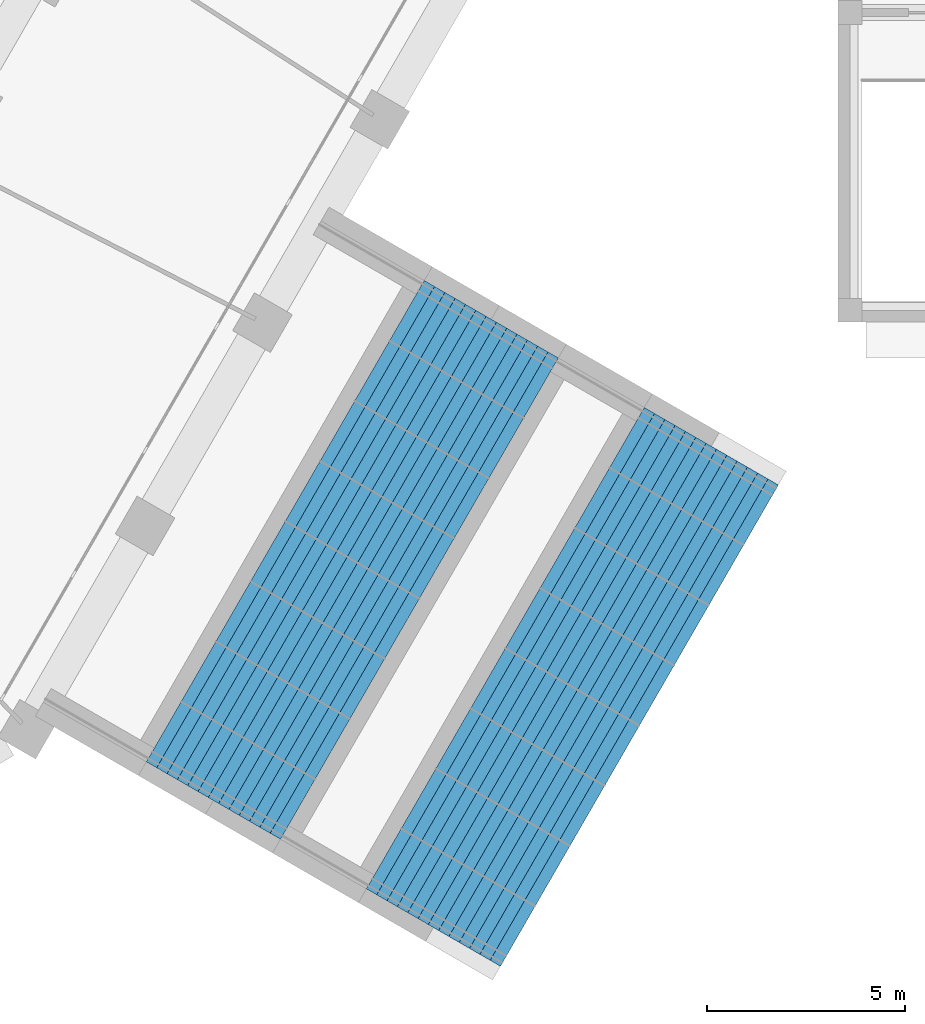
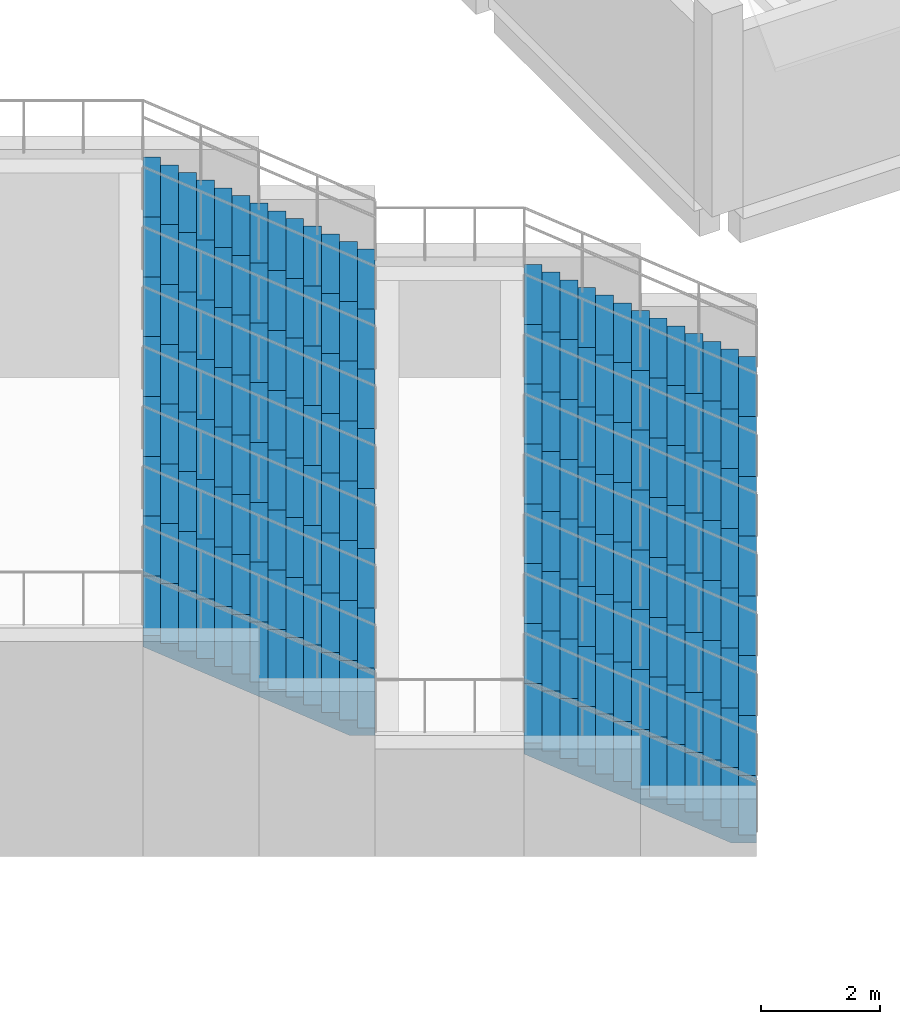
# One storey, part 31 of 38: 16 stair flights, 1 element without a shape of its own.
"""IFC4 building model written with IfcOpenShell, lengths in metres."""

from ifc_helpers import new_model, si_unit, direction, frame, origin, place, context, subcontext, project, spatial, polyline, outline, extrude, material, type_object, element, aggregate, save


model = new_model("IFC4")

# Units and contexts
model_context = context("Model", 3, precision=1e-05, world=origin(), true_north=direction((0.0, 1.0)))
body_context = subcontext(model_context, "Body", "Model", "MODEL_VIEW")
ifc_project = project(units=[si_unit("LENGTHUNIT", "METRE"), si_unit("AREAUNIT", "SQUARE_METRE"), si_unit("VOLUMEUNIT", "CUBIC_METRE"), si_unit("PLANEANGLEUNIT", "RADIAN"), si_unit("MASSUNIT", "GRAM", prefix="KILO")], contexts=[model_context])

# Site, building, storey
site_placement = place(None, origin())
site = spatial("IfcSite", under=ifc_project, at=site_placement, CompositionType="ELEMENT")
building_placement = place(site_placement, origin())
building = spatial("IfcBuilding", under=site, at=building_placement, Name="Frailejon Research Tower", CompositionType="ELEMENT")
storey_placement = place(building_placement, frame((0.0, 0.0, 10.199951171875)))
storey = spatial("IfcBuildingStorey", under=building, at=storey_placement, Name="L02", CompositionType="ELEMENT", Elevation=10.199951171875)

# Stair, stair flights
ifc_material_1 = material(Name="Concrete C35/45", Category="concrete")
stair_type = type_object("IfcStairType", Name="Broad stair", PredefinedType="STRAIGHT_RUN_STAIR", material=ifc_material_1)
stair_placement = place(storey_placement, origin())
stair = element("IfcStair", 1, at=stair_placement, inside=storey, type_object=stair_type, Name="Broad stair E3", PredefinedType="STRAIGHT_RUN_STAIR")
ifc_material_2 = material(Name="Concrete C35/45", Category="concrete")
stair_flight_type = type_object("IfcStairFlightType", Name="Broad stair flight", PredefinedType="STRAIGHT", material=ifc_material_2)
stair_flight_1_placement = place(storey_placement, frame((30.590087890625, -32.816650390625, 2.199951171875), z_axis=(0.0, 0.0, 1.0), x_axis=(-0.866025403784, 0.5, 0.0)))
stair_flight_1 = element("IfcStairFlight", 2, at=stair_flight_1_placement, type_object=stair_flight_type, Name="SS-E3 flight 1", NumberOfRisers=14, NumberOfTreads=13, PredefinedType="STRAIGHT", RiserHeight=0.157142857, TreadLength=0.3, context=body_context, shape_type="SweptSolid", body=[
    extrude(outline(polyline([(0.0, 0.0), (0.0, 0.1572265625), (0.300048828125, 0.1572265625), (0.300048828125, 0.314208984375), (0.60009765625, 0.314208984375), (0.60009765625, 0.471435546875), (0.89990234375, 0.471435546875), (0.89990234375, 0.628662109375), (1.199951171875, 0.628662109375), (1.199951171875, 0.78564453125), (1.5, 0.78564453125), (1.5, 0.94287109375), (1.800048828125, 0.94287109375), (1.800048828125, 1.10009765625), (2.10009765625, 1.10009765625), (2.10009765625, 1.257080078125), (2.39990234375, 1.257080078125), (2.39990234375, 1.414306640625), (2.699951171875, 1.414306640625), (2.699951171875, 1.571533203125), (3.0, 1.571533203125), (3.0, 1.728515625), (3.300048828125, 1.728515625), (3.300048828125, 1.8857421875), (3.60009765625, 1.8857421875), (3.60009765625, 2.04296875), (3.89990234375, 2.04296875), (3.89990234375, 2.199951171875), (3.89990234375, 1.817138671875), (0.430908203125, 0.0), (0.0, 0.0)])), frame((0.0, 0.875, 0.0), z_axis=(0.0, -1.0, 0.0), x_axis=(1.0, 0.0, 0.0)), (0.0, 0.0, 1.0), 1.75),
])
stair_flight_2_placement = place(storey_placement, frame((31.465087890625, -31.301025390625, 2.199951171875), z_axis=(0.0, 0.0, 1.0), x_axis=(-0.866025403784, 0.5, 0.0)))
stair_flight_2 = element("IfcStairFlight", 3, at=stair_flight_2_placement, type_object=stair_flight_type, Name="SS-E3 flight 2", NumberOfRisers=14, NumberOfTreads=13, PredefinedType="STRAIGHT", RiserHeight=0.157142857, TreadLength=0.3, context=body_context, shape_type="SweptSolid", body=[
    extrude(outline(polyline([(0.0, 0.0), (0.0, 0.1572265625), (0.300048828125, 0.1572265625), (0.300048828125, 0.314208984375), (0.60009765625, 0.314208984375), (0.60009765625, 0.471435546875), (0.89990234375, 0.471435546875), (0.89990234375, 0.628662109375), (1.199951171875, 0.628662109375), (1.199951171875, 0.78564453125), (1.5, 0.78564453125), (1.5, 0.94287109375), (1.800048828125, 0.94287109375), (1.800048828125, 1.10009765625), (2.10009765625, 1.10009765625), (2.10009765625, 1.257080078125), (2.39990234375, 1.257080078125), (2.39990234375, 1.414306640625), (2.699951171875, 1.414306640625), (2.699951171875, 1.571533203125), (3.0, 1.571533203125), (3.0, 1.728515625), (3.300048828125, 1.728515625), (3.300048828125, 1.8857421875), (3.60009765625, 1.8857421875), (3.60009765625, 2.04296875), (3.89990234375, 2.04296875), (3.89990234375, 2.199951171875), (3.89990234375, 1.817138671875), (0.430908203125, 0.0), (0.0, 0.0)])), frame((0.0, 0.875, 0.0), z_axis=(0.0, -1.0, 0.0), x_axis=(1.0, 0.0, 0.0)), (0.0, 0.0, 1.0), 1.75),
])
stair_flight_3_placement = place(storey_placement, frame((32.340087890625, -29.785400390625, 2.199951171875), z_axis=(0.0, 0.0, 1.0), x_axis=(-0.866025403784, 0.5, 0.0)))
stair_flight_3 = element("IfcStairFlight", 4, at=stair_flight_3_placement, type_object=stair_flight_type, Name="SS-E3 flight 3", NumberOfRisers=14, NumberOfTreads=13, PredefinedType="STRAIGHT", RiserHeight=0.157142857, TreadLength=0.3, context=body_context, shape_type="SweptSolid", body=[
    extrude(outline(polyline([(0.0, 0.0), (0.0, 0.1572265625), (0.300048828125, 0.1572265625), (0.300048828125, 0.314208984375), (0.60009765625, 0.314208984375), (0.60009765625, 0.471435546875), (0.89990234375, 0.471435546875), (0.89990234375, 0.628662109375), (1.199951171875, 0.628662109375), (1.199951171875, 0.78564453125), (1.5, 0.78564453125), (1.5, 0.94287109375), (1.800048828125, 0.94287109375), (1.800048828125, 1.10009765625), (2.10009765625, 1.10009765625), (2.10009765625, 1.257080078125), (2.39990234375, 1.257080078125), (2.39990234375, 1.414306640625), (2.699951171875, 1.414306640625), (2.699951171875, 1.571533203125), (3.0, 1.571533203125), (3.0, 1.728515625), (3.300048828125, 1.728515625), (3.300048828125, 1.8857421875), (3.60009765625, 1.8857421875), (3.60009765625, 2.04296875), (3.89990234375, 2.04296875), (3.89990234375, 2.199951171875), (3.89990234375, 1.817138671875), (0.430908203125, 0.0), (0.0, 0.0)])), frame((0.0, 0.875, 0.0), z_axis=(0.0, -1.0, 0.0), x_axis=(1.0, 0.0, 0.0)), (0.0, 0.0, 1.0), 1.75),
])
stair_flight_4_placement = place(storey_placement, frame((33.215087890625, -28.27001953125, 2.199951171875), z_axis=(0.0, 0.0, 1.0), x_axis=(-0.866025403784, 0.5, 0.0)))
stair_flight_4 = element("IfcStairFlight", 5, at=stair_flight_4_placement, type_object=stair_flight_type, Name="SS-E3 flight 4", NumberOfRisers=14, NumberOfTreads=13, PredefinedType="STRAIGHT", RiserHeight=0.157142857, TreadLength=0.3, context=body_context, shape_type="SweptSolid", body=[
    extrude(outline(polyline([(0.0, 0.0), (0.0, 0.1572265625), (0.300048828125, 0.1572265625), (0.300048828125, 0.314208984375), (0.60009765625, 0.314208984375), (0.60009765625, 0.471435546875), (0.89990234375, 0.471435546875), (0.89990234375, 0.628662109375), (1.199951171875, 0.628662109375), (1.199951171875, 0.78564453125), (1.5, 0.78564453125), (1.5, 0.94287109375), (1.800048828125, 0.94287109375), (1.800048828125, 1.10009765625), (2.10009765625, 1.10009765625), (2.10009765625, 1.257080078125), (2.39990234375, 1.257080078125), (2.39990234375, 1.414306640625), (2.699951171875, 1.414306640625), (2.699951171875, 1.571533203125), (3.0, 1.571533203125), (3.0, 1.728515625), (3.300048828125, 1.728515625), (3.300048828125, 1.8857421875), (3.60009765625, 1.8857421875), (3.60009765625, 2.04296875), (3.89990234375, 2.04296875), (3.89990234375, 2.199951171875), (3.89990234375, 1.817138671875), (0.430908203125, 0.0), (0.0, 0.0)])), frame((0.0, 0.875, 0.0), z_axis=(0.0, -1.0, 0.0), x_axis=(1.0, 0.0, 0.0)), (0.0, 0.0, 1.0), 1.75),
])
stair_flight_5_placement = place(storey_placement, frame((34.090087890625, -26.75439453125, 2.199951171875), z_axis=(0.0, 0.0, 1.0), x_axis=(-0.866025403784, 0.5, 0.0)))
stair_flight_5 = element("IfcStairFlight", 6, at=stair_flight_5_placement, type_object=stair_flight_type, Name="SS-E3 flight 5", NumberOfRisers=14, NumberOfTreads=13, PredefinedType="STRAIGHT", RiserHeight=0.157142857, TreadLength=0.3, context=body_context, shape_type="SweptSolid", body=[
    extrude(outline(polyline([(0.0, 0.0), (0.0, 0.1572265625), (0.300048828125, 0.1572265625), (0.300048828125, 0.314208984375), (0.60009765625, 0.314208984375), (0.60009765625, 0.471435546875), (0.89990234375, 0.471435546875), (0.89990234375, 0.628662109375), (1.199951171875, 0.628662109375), (1.199951171875, 0.78564453125), (1.5, 0.78564453125), (1.5, 0.94287109375), (1.800048828125, 0.94287109375), (1.800048828125, 1.10009765625), (2.10009765625, 1.10009765625), (2.10009765625, 1.257080078125), (2.39990234375, 1.257080078125), (2.39990234375, 1.414306640625), (2.699951171875, 1.414306640625), (2.699951171875, 1.571533203125), (3.0, 1.571533203125), (3.0, 1.728515625), (3.300048828125, 1.728515625), (3.300048828125, 1.8857421875), (3.60009765625, 1.8857421875), (3.60009765625, 2.04296875), (3.89990234375, 2.04296875), (3.89990234375, 2.199951171875), (3.89990234375, 1.817138671875), (0.430908203125, 0.0), (0.0, 0.0)])), frame((0.0, 0.875, 0.0), z_axis=(0.0, -1.0, 0.0), x_axis=(1.0, 0.0, 0.0)), (0.0, 0.0, 1.0), 1.75),
])
stair_flight_6_placement = place(storey_placement, frame((34.965087890625, -25.239013671875, 2.199951171875), z_axis=(0.0, 0.0, 1.0), x_axis=(-0.866025403784, 0.5, 0.0)))
stair_flight_6 = element("IfcStairFlight", 7, at=stair_flight_6_placement, type_object=stair_flight_type, Name="SS-E3 flight 6", NumberOfRisers=14, NumberOfTreads=13, PredefinedType="STRAIGHT", RiserHeight=0.157142857, TreadLength=0.3, context=body_context, shape_type="SweptSolid", body=[
    extrude(outline(polyline([(0.0, 0.0), (0.0, 0.1572265625), (0.300048828125, 0.1572265625), (0.300048828125, 0.314208984375), (0.60009765625, 0.314208984375), (0.60009765625, 0.471435546875), (0.89990234375, 0.471435546875), (0.89990234375, 0.628662109375), (1.199951171875, 0.628662109375), (1.199951171875, 0.78564453125), (1.5, 0.78564453125), (1.5, 0.94287109375), (1.800048828125, 0.94287109375), (1.800048828125, 1.10009765625), (2.10009765625, 1.10009765625), (2.10009765625, 1.257080078125), (2.39990234375, 1.257080078125), (2.39990234375, 1.414306640625), (2.699951171875, 1.414306640625), (2.699951171875, 1.571533203125), (3.0, 1.571533203125), (3.0, 1.728515625), (3.300048828125, 1.728515625), (3.300048828125, 1.8857421875), (3.60009765625, 1.8857421875), (3.60009765625, 2.04296875), (3.89990234375, 2.04296875), (3.89990234375, 2.199951171875), (3.89990234375, 1.817138671875), (0.430908203125, 0.0), (0.0, 0.0)])), frame((0.0, 0.875, 0.0), z_axis=(0.0, -1.0, 0.0), x_axis=(1.0, 0.0, 0.0)), (0.0, 0.0, 1.0), 1.75),
])
stair_flight_7_placement = place(storey_placement, frame((35.840087890625, -23.723388671875, 2.199951171875), z_axis=(0.0, 0.0, 1.0), x_axis=(-0.866025403784, 0.5, 0.0)))
stair_flight_7 = element("IfcStairFlight", 8, at=stair_flight_7_placement, type_object=stair_flight_type, Name="SS-E3 flight 7", NumberOfRisers=14, NumberOfTreads=13, PredefinedType="STRAIGHT", RiserHeight=0.157142857, TreadLength=0.3, context=body_context, shape_type="SweptSolid", body=[
    extrude(outline(polyline([(0.0, 0.0), (0.0, 0.1572265625), (0.300048828125, 0.1572265625), (0.300048828125, 0.314208984375), (0.60009765625, 0.314208984375), (0.60009765625, 0.471435546875), (0.89990234375, 0.471435546875), (0.89990234375, 0.628662109375), (1.199951171875, 0.628662109375), (1.199951171875, 0.78564453125), (1.5, 0.78564453125), (1.5, 0.94287109375), (1.800048828125, 0.94287109375), (1.800048828125, 1.10009765625), (2.10009765625, 1.10009765625), (2.10009765625, 1.257080078125), (2.39990234375, 1.257080078125), (2.39990234375, 1.414306640625), (2.699951171875, 1.414306640625), (2.699951171875, 1.571533203125), (3.0, 1.571533203125), (3.0, 1.728515625), (3.300048828125, 1.728515625), (3.300048828125, 1.8857421875), (3.60009765625, 1.8857421875), (3.60009765625, 2.04296875), (3.89990234375, 2.04296875), (3.89990234375, 2.199951171875), (3.89990234375, 1.817138671875), (0.430908203125, 0.0), (0.0, 0.0)])), frame((0.0, 0.875, 0.0), z_axis=(0.0, -1.0, 0.0), x_axis=(1.0, 0.0, 0.0)), (0.0, 0.0, 1.0), 1.75),
])
stair_flight_8_placement = place(storey_placement, frame((36.715087890625, -22.207763671875, 2.199951171875), z_axis=(0.0, 0.0, 1.0), x_axis=(-0.866025403784, 0.5, 0.0)))
stair_flight_8 = element("IfcStairFlight", 9, at=stair_flight_8_placement, type_object=stair_flight_type, Name="SS-E3 flight 8", NumberOfRisers=14, NumberOfTreads=13, PredefinedType="STRAIGHT", RiserHeight=0.157142857, TreadLength=0.3, context=body_context, shape_type="SweptSolid", body=[
    extrude(outline(polyline([(0.0, 0.0), (0.0, 0.1572265625), (0.300048828125, 0.1572265625), (0.300048828125, 0.314208984375), (0.60009765625, 0.314208984375), (0.60009765625, 0.471435546875), (0.89990234375, 0.471435546875), (0.89990234375, 0.628662109375), (1.199951171875, 0.628662109375), (1.199951171875, 0.78564453125), (1.5, 0.78564453125), (1.5, 0.94287109375), (1.800048828125, 0.94287109375), (1.800048828125, 1.10009765625), (2.10009765625, 1.10009765625), (2.10009765625, 1.257080078125), (2.39990234375, 1.257080078125), (2.39990234375, 1.414306640625), (2.699951171875, 1.414306640625), (2.699951171875, 1.571533203125), (3.0, 1.571533203125), (3.0, 1.728515625), (3.300048828125, 1.728515625), (3.300048828125, 1.8857421875), (3.60009765625, 1.8857421875), (3.60009765625, 2.04296875), (3.89990234375, 2.04296875), (3.89990234375, 2.199951171875), (3.89990234375, 1.817138671875), (0.430908203125, 0.0), (0.0, 0.0)])), frame((0.0, 0.875, 0.0), z_axis=(0.0, -1.0, 0.0), x_axis=(1.0, 0.0, 0.0)), (0.0, 0.0, 1.0), 1.75),
])
stair_flight_9_placement = place(storey_placement, frame((36.132568359375, -36.0166015625, 0.0), z_axis=(0.0, 0.0, 1.0), x_axis=(-0.866025403784, 0.5, 0.0)))
stair_flight_9 = element("IfcStairFlight", 10, at=stair_flight_9_placement, type_object=stair_flight_type, Name="SS-E3 flight 9", NumberOfRisers=14, NumberOfTreads=13, PredefinedType="STRAIGHT", RiserHeight=0.157142857, TreadLength=0.3, context=body_context, shape_type="SweptSolid", body=[
    extrude(outline(polyline([(0.0, 0.0), (0.0, 0.1572265625), (0.300048828125, 0.1572265625), (0.300048828125, 0.314208984375), (0.60009765625, 0.314208984375), (0.60009765625, 0.471435546875), (0.89990234375, 0.471435546875), (0.89990234375, 0.628662109375), (1.199951171875, 0.628662109375), (1.199951171875, 0.78564453125), (1.5, 0.78564453125), (1.5, 0.94287109375), (1.800048828125, 0.94287109375), (1.800048828125, 1.10009765625), (2.10009765625, 1.10009765625), (2.10009765625, 1.257080078125), (2.39990234375, 1.257080078125), (2.39990234375, 1.414306640625), (2.699951171875, 1.414306640625), (2.699951171875, 1.571533203125), (3.0, 1.571533203125), (3.0, 1.728515625), (3.300048828125, 1.728515625), (3.300048828125, 1.8857421875), (3.60009765625, 1.8857421875), (3.60009765625, 2.04296875), (3.89990234375, 2.04296875), (3.89990234375, 2.199951171875), (3.89990234375, 1.817138671875), (0.430908203125, 0.0), (0.0, 0.0)])), frame((0.0, 0.875, 0.0), z_axis=(0.0, -1.0, 0.0), x_axis=(1.0, 0.0, 0.0)), (0.0, 0.0, 1.0), 1.75),
])
stair_flight_10_placement = place(storey_placement, frame((37.007568359375, -34.5009765625, 0.0), z_axis=(0.0, 0.0, 1.0), x_axis=(-0.866025403784, 0.5, 0.0)))
stair_flight_10 = element("IfcStairFlight", 11, at=stair_flight_10_placement, type_object=stair_flight_type, Name="SS-E3 flight 10", NumberOfRisers=14, NumberOfTreads=13, PredefinedType="STRAIGHT", RiserHeight=0.157142857, TreadLength=0.3, context=body_context, shape_type="SweptSolid", body=[
    extrude(outline(polyline([(0.0, 0.0), (0.0, 0.1572265625), (0.300048828125, 0.1572265625), (0.300048828125, 0.314208984375), (0.60009765625, 0.314208984375), (0.60009765625, 0.471435546875), (0.89990234375, 0.471435546875), (0.89990234375, 0.628662109375), (1.199951171875, 0.628662109375), (1.199951171875, 0.78564453125), (1.5, 0.78564453125), (1.5, 0.94287109375), (1.800048828125, 0.94287109375), (1.800048828125, 1.10009765625), (2.10009765625, 1.10009765625), (2.10009765625, 1.257080078125), (2.39990234375, 1.257080078125), (2.39990234375, 1.414306640625), (2.699951171875, 1.414306640625), (2.699951171875, 1.571533203125), (3.0, 1.571533203125), (3.0, 1.728515625), (3.300048828125, 1.728515625), (3.300048828125, 1.8857421875), (3.60009765625, 1.8857421875), (3.60009765625, 2.04296875), (3.89990234375, 2.04296875), (3.89990234375, 2.199951171875), (3.89990234375, 1.817138671875), (0.430908203125, 0.0), (0.0, 0.0)])), frame((0.0, 0.875, 0.0), z_axis=(0.0, -1.0, 0.0), x_axis=(1.0, 0.0, 0.0)), (0.0, 0.0, 1.0), 1.75),
])
stair_flight_11_placement = place(storey_placement, frame((37.882568359375, -32.985595703125, 0.0), z_axis=(0.0, 0.0, 1.0), x_axis=(-0.866025403784, 0.5, 0.0)))
stair_flight_11 = element("IfcStairFlight", 12, at=stair_flight_11_placement, type_object=stair_flight_type, Name="SS-E3 flight 11", NumberOfRisers=14, NumberOfTreads=13, PredefinedType="STRAIGHT", RiserHeight=0.157142857, TreadLength=0.3, context=body_context, shape_type="SweptSolid", body=[
    extrude(outline(polyline([(0.0, 0.0), (0.0, 0.1572265625), (0.300048828125, 0.1572265625), (0.300048828125, 0.314208984375), (0.60009765625, 0.314208984375), (0.60009765625, 0.471435546875), (0.89990234375, 0.471435546875), (0.89990234375, 0.628662109375), (1.199951171875, 0.628662109375), (1.199951171875, 0.78564453125), (1.5, 0.78564453125), (1.5, 0.94287109375), (1.800048828125, 0.94287109375), (1.800048828125, 1.10009765625), (2.10009765625, 1.10009765625), (2.10009765625, 1.257080078125), (2.39990234375, 1.257080078125), (2.39990234375, 1.414306640625), (2.699951171875, 1.414306640625), (2.699951171875, 1.571533203125), (3.0, 1.571533203125), (3.0, 1.728515625), (3.300048828125, 1.728515625), (3.300048828125, 1.8857421875), (3.60009765625, 1.8857421875), (3.60009765625, 2.04296875), (3.89990234375, 2.04296875), (3.89990234375, 2.199951171875), (3.89990234375, 1.817138671875), (0.430908203125, 0.0), (0.0, 0.0)])), frame((0.0, 0.875, 0.0), z_axis=(0.0, -1.0, 0.0), x_axis=(1.0, 0.0, 0.0)), (0.0, 0.0, 1.0), 1.75),
])
stair_flight_12_placement = place(storey_placement, frame((38.757568359375, -31.469970703125, 0.0), z_axis=(0.0, 0.0, 1.0), x_axis=(-0.866025403784, 0.5, 0.0)))
stair_flight_12 = element("IfcStairFlight", 13, at=stair_flight_12_placement, type_object=stair_flight_type, Name="SS-E3 flight 12", NumberOfRisers=14, NumberOfTreads=13, PredefinedType="STRAIGHT", RiserHeight=0.157142857, TreadLength=0.3, context=body_context, shape_type="SweptSolid", body=[
    extrude(outline(polyline([(0.0, 0.0), (0.0, 0.1572265625), (0.300048828125, 0.1572265625), (0.300048828125, 0.314208984375), (0.60009765625, 0.314208984375), (0.60009765625, 0.471435546875), (0.89990234375, 0.471435546875), (0.89990234375, 0.628662109375), (1.199951171875, 0.628662109375), (1.199951171875, 0.78564453125), (1.5, 0.78564453125), (1.5, 0.94287109375), (1.800048828125, 0.94287109375), (1.800048828125, 1.10009765625), (2.10009765625, 1.10009765625), (2.10009765625, 1.257080078125), (2.39990234375, 1.257080078125), (2.39990234375, 1.414306640625), (2.699951171875, 1.414306640625), (2.699951171875, 1.571533203125), (3.0, 1.571533203125), (3.0, 1.728515625), (3.300048828125, 1.728515625), (3.300048828125, 1.8857421875), (3.60009765625, 1.8857421875), (3.60009765625, 2.04296875), (3.89990234375, 2.04296875), (3.89990234375, 2.199951171875), (3.89990234375, 1.817138671875), (0.430908203125, 0.0), (0.0, 0.0)])), frame((0.0, 0.875, 0.0), z_axis=(0.0, -1.0, 0.0), x_axis=(1.0, 0.0, 0.0)), (0.0, 0.0, 1.0), 1.75),
])
stair_flight_13_placement = place(storey_placement, frame((39.632568359375, -29.954345703125, 0.0), z_axis=(0.0, 0.0, 1.0), x_axis=(-0.866025403784, 0.5, 0.0)))
stair_flight_13 = element("IfcStairFlight", 14, at=stair_flight_13_placement, type_object=stair_flight_type, Name="SS-E3 flight 13", NumberOfRisers=14, NumberOfTreads=13, PredefinedType="STRAIGHT", RiserHeight=0.157142857, TreadLength=0.3, context=body_context, shape_type="SweptSolid", body=[
    extrude(outline(polyline([(0.0, 0.0), (0.0, 0.1572265625), (0.300048828125, 0.1572265625), (0.300048828125, 0.314208984375), (0.60009765625, 0.314208984375), (0.60009765625, 0.471435546875), (0.89990234375, 0.471435546875), (0.89990234375, 0.628662109375), (1.199951171875, 0.628662109375), (1.199951171875, 0.78564453125), (1.5, 0.78564453125), (1.5, 0.94287109375), (1.800048828125, 0.94287109375), (1.800048828125, 1.10009765625), (2.10009765625, 1.10009765625), (2.10009765625, 1.257080078125), (2.39990234375, 1.257080078125), (2.39990234375, 1.414306640625), (2.699951171875, 1.414306640625), (2.699951171875, 1.571533203125), (3.0, 1.571533203125), (3.0, 1.728515625), (3.300048828125, 1.728515625), (3.300048828125, 1.8857421875), (3.60009765625, 1.8857421875), (3.60009765625, 2.04296875), (3.89990234375, 2.04296875), (3.89990234375, 2.199951171875), (3.89990234375, 1.817138671875), (0.430908203125, 0.0), (0.0, 0.0)])), frame((0.0, 0.875, 0.0), z_axis=(0.0, -1.0, 0.0), x_axis=(1.0, 0.0, 0.0)), (0.0, 0.0, 1.0), 1.75),
])
stair_flight_14_placement = place(storey_placement, frame((40.507568359375, -28.43896484375, 0.0), z_axis=(0.0, 0.0, 1.0), x_axis=(-0.866025403784, 0.5, 0.0)))
stair_flight_14 = element("IfcStairFlight", 15, at=stair_flight_14_placement, type_object=stair_flight_type, Name="SS-E3 flight 14", NumberOfRisers=14, NumberOfTreads=13, PredefinedType="STRAIGHT", RiserHeight=0.157142857, TreadLength=0.3, context=body_context, shape_type="SweptSolid", body=[
    extrude(outline(polyline([(0.0, 0.0), (0.0, 0.1572265625), (0.300048828125, 0.1572265625), (0.300048828125, 0.314208984375), (0.60009765625, 0.314208984375), (0.60009765625, 0.471435546875), (0.89990234375, 0.471435546875), (0.89990234375, 0.628662109375), (1.199951171875, 0.628662109375), (1.199951171875, 0.78564453125), (1.5, 0.78564453125), (1.5, 0.94287109375), (1.800048828125, 0.94287109375), (1.800048828125, 1.10009765625), (2.10009765625, 1.10009765625), (2.10009765625, 1.257080078125), (2.39990234375, 1.257080078125), (2.39990234375, 1.414306640625), (2.699951171875, 1.414306640625), (2.699951171875, 1.571533203125), (3.0, 1.571533203125), (3.0, 1.728515625), (3.300048828125, 1.728515625), (3.300048828125, 1.8857421875), (3.60009765625, 1.8857421875), (3.60009765625, 2.04296875), (3.89990234375, 2.04296875), (3.89990234375, 2.199951171875), (3.89990234375, 1.817138671875), (0.430908203125, 0.0), (0.0, 0.0)])), frame((0.0, 0.875, 0.0), z_axis=(0.0, -1.0, 0.0), x_axis=(1.0, 0.0, 0.0)), (0.0, 0.0, 1.0), 1.75),
])
stair_flight_15_placement = place(storey_placement, frame((41.382568359375, -26.92333984375, 0.0), z_axis=(0.0, 0.0, 1.0), x_axis=(-0.866025403784, 0.5, 0.0)))
stair_flight_15 = element("IfcStairFlight", 16, at=stair_flight_15_placement, type_object=stair_flight_type, Name="SS-E3 flight 15", NumberOfRisers=14, NumberOfTreads=13, PredefinedType="STRAIGHT", RiserHeight=0.157142857, TreadLength=0.3, context=body_context, shape_type="SweptSolid", body=[
    extrude(outline(polyline([(0.0, 0.0), (0.0, 0.1572265625), (0.300048828125, 0.1572265625), (0.300048828125, 0.314208984375), (0.60009765625, 0.314208984375), (0.60009765625, 0.471435546875), (0.89990234375, 0.471435546875), (0.89990234375, 0.628662109375), (1.199951171875, 0.628662109375), (1.199951171875, 0.78564453125), (1.5, 0.78564453125), (1.5, 0.94287109375), (1.800048828125, 0.94287109375), (1.800048828125, 1.10009765625), (2.10009765625, 1.10009765625), (2.10009765625, 1.257080078125), (2.39990234375, 1.257080078125), (2.39990234375, 1.414306640625), (2.699951171875, 1.414306640625), (2.699951171875, 1.571533203125), (3.0, 1.571533203125), (3.0, 1.728515625), (3.300048828125, 1.728515625), (3.300048828125, 1.8857421875), (3.60009765625, 1.8857421875), (3.60009765625, 2.04296875), (3.89990234375, 2.04296875), (3.89990234375, 2.199951171875), (3.89990234375, 1.817138671875), (0.430908203125, 0.0), (0.0, 0.0)])), frame((0.0, 0.875, 0.0), z_axis=(0.0, -1.0, 0.0), x_axis=(1.0, 0.0, 0.0)), (0.0, 0.0, 1.0), 1.75),
])
stair_flight_16_placement = place(storey_placement, frame((42.257568359375, -25.40771484375, 0.0), z_axis=(0.0, 0.0, 1.0), x_axis=(-0.866025403784, 0.5, 0.0)))
stair_flight_16 = element("IfcStairFlight", 17, at=stair_flight_16_placement, type_object=stair_flight_type, Name="SS-E3 flight 16", NumberOfRisers=14, NumberOfTreads=13, PredefinedType="STRAIGHT", RiserHeight=0.157142857, TreadLength=0.3, context=body_context, shape_type="SweptSolid", body=[
    extrude(outline(polyline([(0.0, 0.0), (0.0, 0.1572265625), (0.300048828125, 0.1572265625), (0.300048828125, 0.314208984375), (0.60009765625, 0.314208984375), (0.60009765625, 0.471435546875), (0.89990234375, 0.471435546875), (0.89990234375, 0.628662109375), (1.199951171875, 0.628662109375), (1.199951171875, 0.78564453125), (1.5, 0.78564453125), (1.5, 0.94287109375), (1.800048828125, 0.94287109375), (1.800048828125, 1.10009765625), (2.10009765625, 1.10009765625), (2.10009765625, 1.257080078125), (2.39990234375, 1.257080078125), (2.39990234375, 1.414306640625), (2.699951171875, 1.414306640625), (2.699951171875, 1.571533203125), (3.0, 1.571533203125), (3.0, 1.728515625), (3.300048828125, 1.728515625), (3.300048828125, 1.8857421875), (3.60009765625, 1.8857421875), (3.60009765625, 2.04296875), (3.89990234375, 2.04296875), (3.89990234375, 2.199951171875), (3.89990234375, 1.817138671875), (0.430908203125, 0.0), (0.0, 0.0)])), frame((0.0, 0.875, 0.0), z_axis=(0.0, -1.0, 0.0), x_axis=(1.0, 0.0, 0.0)), (0.0, 0.0, 1.0), 1.75),
])
aggregate(stair, [stair_flight_1, stair_flight_2, stair_flight_3, stair_flight_4, stair_flight_5, stair_flight_6, stair_flight_7, stair_flight_8, stair_flight_9, stair_flight_10, stair_flight_11, stair_flight_12, stair_flight_13, stair_flight_14, stair_flight_15, stair_flight_16])

save(model, "model.ifc")
